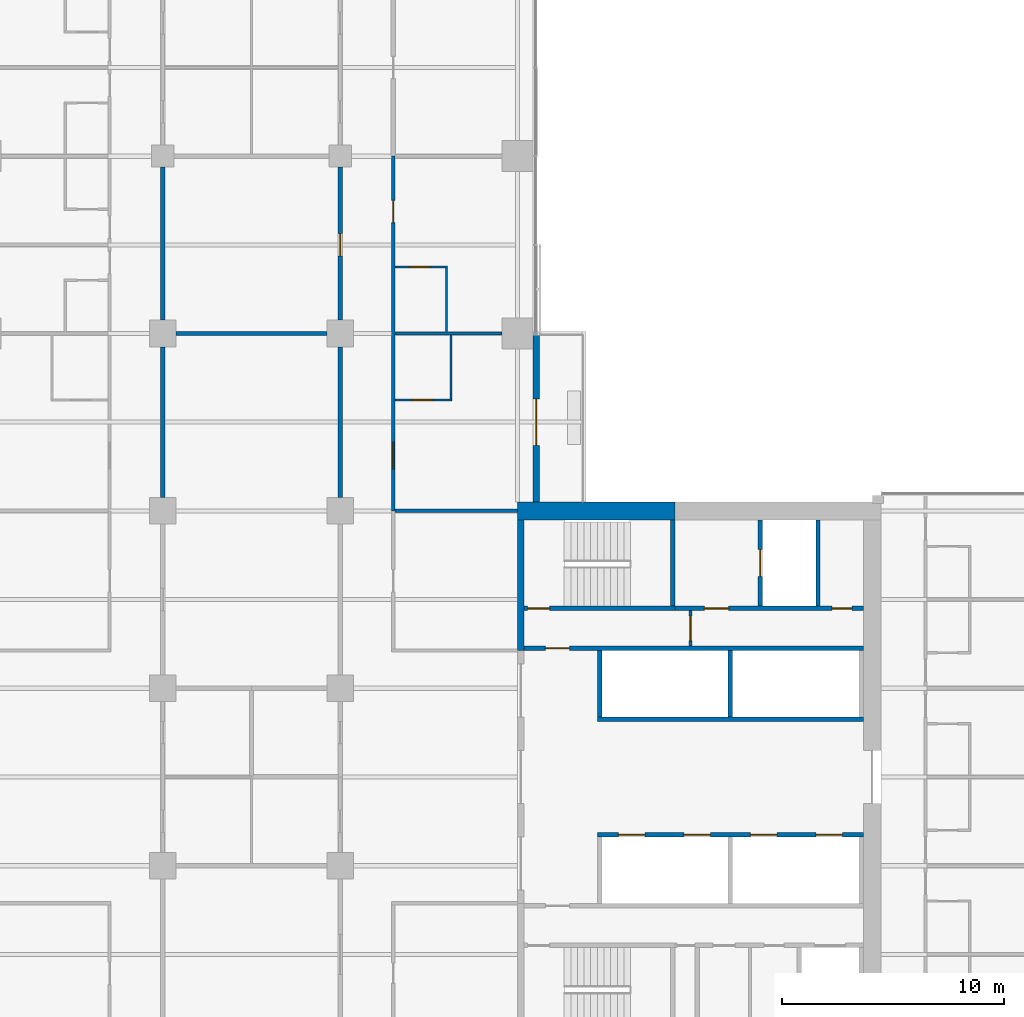
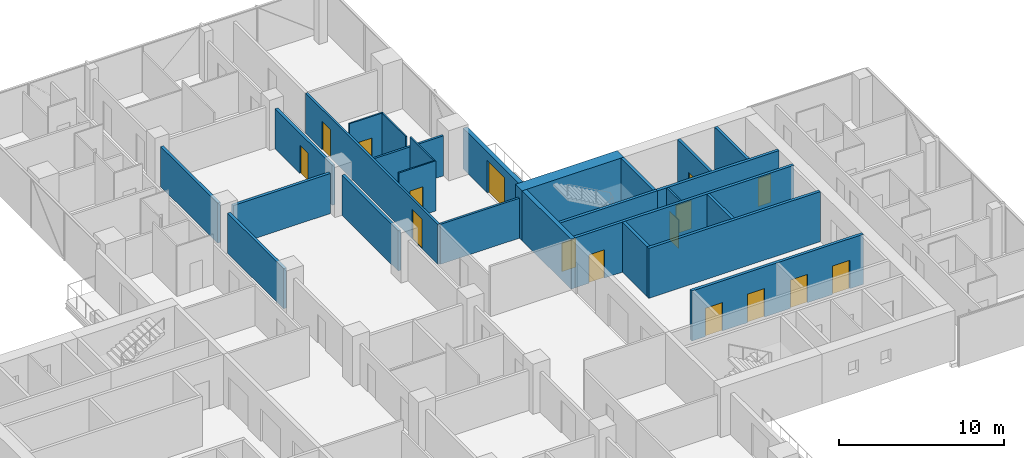
# One storey, part 20 of 27: 26 walls, 16 doors, 16 openings.
"""IFC4 building model written with IfcOpenShell, lengths in metres."""

from ifc_helpers import new_model, si_unit, direction, frame, frame_2d, origin, place, context, subcontext, project, spatial, rectangle, extrude, material, layer, layer_set, constituent, constituent_set, type_object, element, fill, save


model = new_model("IFC4")

# Units and contexts
model_context = context("Model", 3, precision=1e-05, world=origin(), true_north=direction((0.0, 1.0)))
body_context = subcontext(model_context, "Body", "Model", "MODEL_VIEW")
ifc_project = project(units=[si_unit("LENGTHUNIT", "METRE"), si_unit("AREAUNIT", "SQUARE_METRE"), si_unit("VOLUMEUNIT", "CUBIC_METRE"), si_unit("PLANEANGLEUNIT", "RADIAN"), si_unit("MASSUNIT", "GRAM", prefix="KILO")], contexts=[model_context])

# Site, building, storey
site_placement = place(None, origin())
site = spatial("IfcSite", under=ifc_project, at=site_placement, CompositionType="ELEMENT")
building_placement = place(site_placement, origin())
building = spatial("IfcBuilding", under=site, at=building_placement, Name="Crosswind Convention Tower", CompositionType="ELEMENT")
storey_placement = place(building_placement, frame((0.0, 0.0, 94.199951171875)))
storey = spatial("IfcBuildingStorey", under=building, at=storey_placement, Name="L18", CompositionType="ELEMENT", Elevation=94.199951171875)

# Walls
ifc_material_1 = material(Name="Concrete C50/60", Category="concrete")
ifc_layer_1 = layer(ifc_material_1, 0.300048828125)
ifc_layer_set_1 = layer_set([ifc_layer_1], Name="Concrete C50/60")
wall_type_1 = type_object("IfcWallType", Name="Concrete inner core wall 300", PredefinedType="SHEAR", material=ifc_layer_set_1)
wall_1_placement = place(storey_placement, frame((137.14990234375, 105.699951171875, 0.0), z_axis=(0.0, 0.0, 1.0), x_axis=(0.0, 1.0, 0.0)))
element("IfcWall", 1, at=wall_1_placement, inside=storey, type_object=wall_type_1, Name="Wall EP E L18", PredefinedType="SHEAR", context=body_context, shape_type="SweptSolid", body=[
    extrude(rectangle(XDim=5.900146484375, YDim=0.300048828125, at=frame_2d((2.9501953125, 0.0))), origin(), (0.0, 0.0, 1.0), 3.699951171875),
])
ifc_layer_2 = layer(ifc_material_1, 0.199951171875)
ifc_layer_set_2 = layer_set([ifc_layer_2], Name="Concrete C50/60")
wall_type_2 = type_object("IfcWallType", Name="Concrete shaft and stair wall 200", PredefinedType="SHEAR", material=ifc_layer_set_2)
for number, where, z_axis, x_axis, name in (
    (2, (140.699951171875, 102.699951171875, 0.0), (0.0, 0.0, 1.0), (0.0, 1.0, 0.0), "Wall RPEND E L18"),
    (3, (146.60009765625, 102.699951171875, 0.0), (0.0, 0.0, 1.0), (0.0, 1.0, 0.0), "Wall RPSEP E L18"),
):
    element("IfcWall", number, at=place(storey_placement, frame(where, z_axis=z_axis, x_axis=x_axis)), inside=storey, type_object=wall_type_2, Name=name, PredefinedType="SHEAR", context=body_context, shape_type="SweptSolid", body=[
        extrude(rectangle(XDim=3.0, YDim=0.199951171875, at=frame_2d((1.5, 0.0))), origin(), (0.0, 0.0, 1.0), 3.699951171875),
    ])
wall_2_placement = place(storey_placement, frame((140.60009765625, 102.60009765625, 0.0), z_axis=(0.0, 0.0, 1.0), x_axis=(1.0, 0.0, 0.0)))
element("IfcWall", 4, at=wall_2_placement, inside=storey, type_object=wall_type_2, Name="Wall RPFRONT E L18", PredefinedType="SHEAR", context=body_context, shape_type="SweptSolid", body=[
    extrude(rectangle(XDim=12.0, YDim=0.199951171875, at=frame_2d((6.0, 0.0))), origin(), (0.0, 0.0, 1.0), 3.699951171875),
])

# Wall, openings, doors
wall_3_placement = place(storey_placement, frame((140.60009765625, 97.39990234375, 0.0), z_axis=(0.0, 0.0, 1.0), x_axis=(1.0, 0.0, 0.0)))
wall_3 = element("IfcWall", 5, at=wall_3_placement, inside=storey, type_object=wall_type_2, Name="Wall RMFRONT E L18", PredefinedType="SHEAR", context=body_context, shape_type="SweptSolid", body=[
    extrude(rectangle(XDim=12.0, YDim=0.199951171875, at=frame_2d((6.0, 0.0))), origin(), (0.0, 0.0, 1.0), 3.699951171875),
])
opening_1_placement = place(wall_3_placement, frame((0.949951171875, 0.0, 0.0)))
opening_1 = element("IfcOpeningElement", 6, at=opening_1_placement, cuts=wall_3, Name="Opening LD1", PredefinedType="OPENING", context=body_context, shape_type="SweptSolid", body=[
    extrude(rectangle(XDim=1.199951171875, YDim=2.10009765625, at=frame_2d((0.60009765625, 1.050048828125))), frame((0.0, 0.10986328125, 0.0), z_axis=(0.0, -1.0, 0.0), x_axis=(1.0, 0.0, 0.0)), (0.0, 0.0, 1.0), 0.219970703125),
])
opening_2_placement = place(wall_3_placement, frame((3.89990234375, 0.0, 0.0)))
opening_2 = element("IfcOpeningElement", 7, at=opening_2_placement, cuts=wall_3, Name="Opening LD1", PredefinedType="OPENING", context=body_context, shape_type="SweptSolid", body=[
    extrude(rectangle(XDim=1.199951171875, YDim=2.10009765625, at=frame_2d((0.60009765625, 1.050048828125))), frame((0.0, 0.10986328125, 0.0), z_axis=(0.0, -1.0, 0.0), x_axis=(1.0, 0.0, 0.0)), (0.0, 0.0, 1.0), 0.219970703125),
])
opening_3_placement = place(wall_3_placement, frame((6.89990234375, 0.0, 0.0)))
opening_3 = element("IfcOpeningElement", 8, at=opening_3_placement, cuts=wall_3, Name="Opening LD1", PredefinedType="OPENING", context=body_context, shape_type="SweptSolid", body=[
    extrude(rectangle(XDim=1.199951171875, YDim=2.10009765625, at=frame_2d((0.60009765625, 1.050048828125))), frame((0.0, 0.10986328125, 0.0), z_axis=(0.0, -1.0, 0.0), x_axis=(1.0, 0.0, 0.0)), (0.0, 0.0, 1.0), 0.219970703125),
])
opening_4_placement = place(wall_3_placement, frame((9.85009765625, 0.0, 0.0)))
opening_4 = element("IfcOpeningElement", 9, at=opening_4_placement, cuts=wall_3, Name="Opening LD1", PredefinedType="OPENING", context=body_context, shape_type="SweptSolid", body=[
    extrude(rectangle(XDim=1.199951171875, YDim=2.10009765625, at=frame_2d((0.60009765625, 1.050048828125))), frame((0.0, 0.10986328125, 0.0), z_axis=(0.0, -1.0, 0.0), x_axis=(1.0, 0.0, 0.0)), (0.0, 0.0, 1.0), 0.219970703125),
])
ifc_material_2 = material(Name="Stainless steel", Category="steel")
door_type_1 = type_object("IfcDoorType", Name="Lift landing door 1200x2100", OperationType="DOUBLE_DOOR_SLIDING", PredefinedType="DOOR", material=ifc_material_2)
door_1_placement = place(opening_1_placement, origin())
door_1 = element("IfcDoor", 10, at=door_1_placement, inside=storey, type_object=door_type_1, Name="Landing door H1 L18", ObjectType="LD1", OperationType="DOUBLE_DOOR_SLIDING", OverallHeight=2.10009765625, OverallWidth=1.199951171875, PredefinedType="DOOR", context=body_context, shape_type="SweptSolid", body=[
    extrude(rectangle(XDim=1.199951171875, YDim=2.10009765625, at=frame_2d((0.60009765625, 1.050048828125))), frame((0.0, 0.02490234375, 0.0), z_axis=(0.0, -1.0, 0.0), x_axis=(1.0, 0.0, 0.0)), (0.0, 0.0, 1.0), 0.050048828125),
])
fill(opening_1, door_1)
door_2_placement = place(opening_2_placement, origin())
door_2 = element("IfcDoor", 11, at=door_2_placement, inside=storey, type_object=door_type_1, Name="Landing door H2 L18", ObjectType="LD1", OperationType="DOUBLE_DOOR_SLIDING", OverallHeight=2.10009765625, OverallWidth=1.199951171875, PredefinedType="DOOR", context=body_context, shape_type="SweptSolid", body=[
    extrude(rectangle(XDim=1.199951171875, YDim=2.10009765625, at=frame_2d((0.60009765625, 1.050048828125))), frame((0.0, 0.02490234375, 0.0), z_axis=(0.0, -1.0, 0.0), x_axis=(1.0, 0.0, 0.0)), (0.0, 0.0, 1.0), 0.050048828125),
])
fill(opening_2, door_2)
door_3_placement = place(opening_3_placement, origin())
door_3 = element("IfcDoor", 12, at=door_3_placement, inside=storey, type_object=door_type_1, Name="Landing door H3 L18", ObjectType="LD1", OperationType="DOUBLE_DOOR_SLIDING", OverallHeight=2.10009765625, OverallWidth=1.199951171875, PredefinedType="DOOR", context=body_context, shape_type="SweptSolid", body=[
    extrude(rectangle(XDim=1.199951171875, YDim=2.10009765625, at=frame_2d((0.60009765625, 1.050048828125))), frame((0.0, 0.02490234375, 0.0), z_axis=(0.0, -1.0, 0.0), x_axis=(1.0, 0.0, 0.0)), (0.0, 0.0, 1.0), 0.050048828125),
])
fill(opening_3, door_3)
door_4_placement = place(opening_4_placement, origin())
door_4 = element("IfcDoor", 13, at=door_4_placement, inside=storey, type_object=door_type_1, Name="Landing door H4 L18", ObjectType="LD1", OperationType="DOUBLE_DOOR_SLIDING", OverallHeight=2.10009765625, OverallWidth=1.199951171875, PredefinedType="DOOR", context=body_context, shape_type="SweptSolid", body=[
    extrude(rectangle(XDim=1.199951171875, YDim=2.10009765625, at=frame_2d((0.60009765625, 1.050048828125))), frame((0.0, 0.02490234375, 0.0), z_axis=(0.0, -1.0, 0.0), x_axis=(1.0, 0.0, 0.0)), (0.0, 0.0, 1.0), 0.050048828125),
])
fill(opening_4, door_4)

# Wall, opening, door
wall_4_placement = place(storey_placement, frame((137.300048828125, 105.800048828125, 0.0), z_axis=(0.0, 0.0, 1.0), x_axis=(1.0, 0.0, 0.0)))
wall_4 = element("IfcWall", 14, at=wall_4_placement, inside=storey, type_object=wall_type_2, Name="Wall HP E L18", PredefinedType="SHEAR", context=body_context, shape_type="SweptSolid", body=[
    extrude(rectangle(XDim=15.300048828125, YDim=0.199951171875, at=frame_2d((7.64990234375, 0.0))), origin(), (0.0, 0.0, 1.0), 3.699951171875),
])
opening_5_placement = place(wall_4_placement, frame((0.949951171875, 0.0, 0.0)))
opening_5 = element("IfcOpeningElement", 15, at=opening_5_placement, cuts=wall_4, Name="Opening D104", PredefinedType="OPENING", context=body_context, shape_type="SweptSolid", body=[
    extrude(rectangle(XDim=1.10009765625, YDim=2.10009765625, at=frame_2d((0.550048828125, 1.050048828125))), frame((0.0, 0.10986328125, 0.0), z_axis=(0.0, -1.0, 0.0), x_axis=(1.0, 0.0, 0.0)), (0.0, 0.0, 1.0), 0.219970703125),
])
ifc_material_3 = material(Name="Steel fire door", Category="steel")
door_type_2 = type_object("IfcDoorType", Name="Fire-rated single door 1100x2100", OperationType="NOTDEFINED", PredefinedType="DOOR", material=ifc_material_3)
door_5_placement = place(opening_5_placement, origin())
door_5 = element("IfcDoor", 16, at=door_5_placement, inside=storey, type_object=door_type_2, Name="Corridor door L18", ObjectType="D104", OperationType="SINGLE_SWING_LEFT", OverallHeight=2.10009765625, OverallWidth=1.10009765625, PredefinedType="DOOR", context=body_context, shape_type="SweptSolid", body=[
    extrude(rectangle(XDim=1.10009765625, YDim=2.10009765625, at=frame_2d((0.550048828125, 1.050048828125))), frame((0.0, 0.02490234375, 0.0), z_axis=(0.0, -1.0, 0.0), x_axis=(1.0, 0.0, 0.0)), (0.0, 0.0, 1.0), 0.050048828125),
])
fill(opening_5, door_5)

# Wall
wall_5_placement = place(storey_placement, frame((144.0, 107.699951171875, 0.0), z_axis=(0.0, 0.0, 1.0), x_axis=(0.0, 1.0, 0.0)))
element("IfcWall", 17, at=wall_5_placement, inside=storey, type_object=wall_type_2, Name="Wall PSE E L18", PredefinedType="SHEAR", context=body_context, shape_type="SweptSolid", body=[
    extrude(rectangle(XDim=3.900146484375, YDim=0.199951171875, at=frame_2d((1.9501953125, 0.0))), origin(), (0.0, 0.0, 1.0), 3.699951171875),
])

# Wall, opening, door
wall_6_placement = place(storey_placement, frame((147.949951171875, 107.699951171875, 0.0), z_axis=(0.0, 0.0, 1.0), x_axis=(0.0, 1.0, 0.0)))
wall_6 = element("IfcWall", 18, at=wall_6_placement, inside=storey, type_object=wall_type_2, Name="Wall PFLW E L18", PredefinedType="SHEAR", context=body_context, shape_type="SweptSolid", body=[
    extrude(rectangle(XDim=3.900146484375, YDim=0.199951171875, at=frame_2d((1.9501953125, 0.0))), origin(), (0.0, 0.0, 1.0), 3.699951171875),
])
opening_6_placement = place(wall_6_placement, frame((1.35009765625, 0.0, 0.0)))
opening_6 = element("IfcOpeningElement", 19, at=opening_6_placement, cuts=wall_6, Name="Opening LD1", PredefinedType="OPENING", context=body_context, shape_type="SweptSolid", body=[
    extrude(rectangle(XDim=1.199951171875, YDim=2.10009765625, at=frame_2d((0.60009765625, 1.050048828125))), frame((0.0, 0.10986328125, 0.0), z_axis=(0.0, -1.0, 0.0), x_axis=(1.0, 0.0, 0.0)), (0.0, 0.0, 1.0), 0.219970703125),
])
door_6_placement = place(opening_6_placement, origin())
door_6 = element("IfcDoor", 20, at=door_6_placement, inside=storey, type_object=door_type_1, Name="Landing door FF1 L18", ObjectType="LD1", OperationType="DOUBLE_DOOR_SLIDING", OverallHeight=2.10009765625, OverallWidth=1.199951171875, PredefinedType="DOOR", context=body_context, shape_type="SweptSolid", body=[
    extrude(rectangle(XDim=1.199951171875, YDim=2.10009765625, at=frame_2d((0.60009765625, 1.050048828125))), frame((0.0, 0.02490234375, 0.0), z_axis=(0.0, -1.0, 0.0), x_axis=(1.0, 0.0, 0.0)), (0.0, 0.0, 1.0), 0.050048828125),
])
fill(opening_6, door_6)

# Wall
wall_7_placement = place(storey_placement, frame((150.550048828125, 107.699951171875, 0.0), z_axis=(0.0, 0.0, 1.0), x_axis=(0.0, 1.0, 0.0)))
element("IfcWall", 21, at=wall_7_placement, inside=storey, type_object=wall_type_2, Name="Wall PFSE E L18", PredefinedType="SHEAR", context=body_context, shape_type="SweptSolid", body=[
    extrude(rectangle(XDim=3.900146484375, YDim=0.199951171875, at=frame_2d((1.9501953125, 0.0))), origin(), (0.0, 0.0, 1.0), 3.699951171875),
])

# Wall, opening, door
wall_8_placement = place(storey_placement, frame((137.300048828125, 107.60009765625, 0.0), z_axis=(0.0, 0.0, 1.0), x_axis=(1.0, 0.0, 0.0)))
wall_8 = element("IfcWall", 22, at=wall_8_placement, inside=storey, type_object=wall_type_2, Name="Wall PCW E L18", PredefinedType="SHEAR", context=body_context, shape_type="SweptSolid", body=[
    extrude(rectangle(XDim=6.800048828125, YDim=0.199951171875, at=frame_2d((3.39990234375, 0.0))), origin(), (0.0, 0.0, 1.0), 3.699951171875),
])
opening_7_placement = place(wall_8_placement, frame((0.14990234375, 0.0, 0.0)))
opening_7 = element("IfcOpeningElement", 23, at=opening_7_placement, cuts=wall_8, Name="Opening D103", PredefinedType="OPENING", context=body_context, shape_type="SweptSolid", body=[
    extrude(rectangle(XDim=1.0, YDim=2.10009765625, at=frame_2d((0.5, 1.050048828125))), frame((0.0, 0.10986328125, 0.0), z_axis=(0.0, -1.0, 0.0), x_axis=(1.0, 0.0, 0.0)), (0.0, 0.0, 1.0), 0.219970703125),
])
door_type_3 = type_object("IfcDoorType", Name="Fire-rated single door 1000x2100", OperationType="NOTDEFINED", PredefinedType="DOOR", material=ifc_material_3)
door_7_placement = place(opening_7_placement, origin())
door_7 = element("IfcDoor", 24, at=door_7_placement, inside=storey, type_object=door_type_3, Name="Stair ST1 door L18", ObjectType="D103", OperationType="SINGLE_SWING_LEFT", OverallHeight=2.10009765625, OverallWidth=1.0, PredefinedType="DOOR", context=body_context, shape_type="SweptSolid", body=[
    extrude(rectangle(XDim=1.0, YDim=2.10009765625, at=frame_2d((0.5, 1.050048828125))), frame((0.0, 0.02490234375, 0.0), z_axis=(0.0, -1.0, 0.0), x_axis=(1.0, 0.0, 0.0)), (0.0, 0.0, 1.0), 0.050048828125),
])
fill(opening_7, door_7)

# Wall, openings, doors
wall_9_placement = place(storey_placement, frame((144.10009765625, 107.60009765625, 0.0), z_axis=(0.0, 0.0, 1.0), x_axis=(1.0, 0.0, 0.0)))
wall_9 = element("IfcWall", 25, at=wall_9_placement, inside=storey, type_object=wall_type_2, Name="Wall PCX E L18", PredefinedType="SHEAR", context=body_context, shape_type="SweptSolid", body=[
    extrude(rectangle(XDim=8.5, YDim=0.199951171875, at=frame_2d((4.25, 0.0))), origin(), (0.0, 0.0, 1.0), 3.699951171875),
])
opening_8_placement = place(wall_9_placement, frame((1.324951171875, 0.0, 0.0)))
opening_8 = element("IfcOpeningElement", 26, at=opening_8_placement, cuts=wall_9, Name="Opening D104", PredefinedType="OPENING", context=body_context, shape_type="SweptSolid", body=[
    extrude(rectangle(XDim=1.10009765625, YDim=2.10009765625, at=frame_2d((0.550048828125, 1.050048828125))), frame((0.0, 0.10986328125, 0.0), z_axis=(0.0, -1.0, 0.0), x_axis=(1.0, 0.0, 0.0)), (0.0, 0.0, 1.0), 0.219970703125),
])
opening_9_placement = place(wall_9_placement, frame((7.074951171875, 0.0, 0.0)))
opening_9 = element("IfcOpeningElement", 27, at=opening_9_placement, cuts=wall_9, Name="Opening D106", PredefinedType="OPENING", context=body_context, shape_type="SweptSolid", body=[
    extrude(rectangle(XDim=0.89990234375, YDim=2.10009765625, at=frame_2d((0.449951171875, 1.050048828125))), frame((0.0, 0.10986328125, 0.0), z_axis=(0.0, -1.0, 0.0), x_axis=(1.0, 0.0, 0.0)), (0.0, 0.0, 1.0), 0.219970703125),
])
door_8_placement = place(opening_8_placement, origin())
door_8 = element("IfcDoor", 28, at=door_8_placement, inside=storey, type_object=door_type_2, Name="Fire-fighting lobby FF1 door L18", ObjectType="D104", OperationType="SINGLE_SWING_RIGHT", OverallHeight=2.10009765625, OverallWidth=1.10009765625, PredefinedType="DOOR", context=body_context, shape_type="SweptSolid", body=[
    extrude(rectangle(XDim=1.10009765625, YDim=2.10009765625, at=frame_2d((0.550048828125, 1.050048828125))), frame((0.0, 0.02490234375, 0.0), z_axis=(0.0, -1.0, 0.0), x_axis=(1.0, 0.0, 0.0)), (0.0, 0.0, 1.0), 0.050048828125),
])
fill(opening_8, door_8)
ifc_material_4 = material(Name="Timber door", Category="wood")
door_type_4 = type_object("IfcDoorType", Name="Single leaf door 900x2100", OperationType="NOTDEFINED", PredefinedType="DOOR", material=ifc_material_4)
door_9_placement = place(opening_9_placement, origin())
door_9 = element("IfcDoor", 29, at=door_9_placement, inside=storey, type_object=door_type_4, Name="Door to electrical room L18", ObjectType="D106", OperationType="SINGLE_SWING_RIGHT", OverallHeight=2.10009765625, OverallWidth=0.89990234375, PredefinedType="DOOR", context=body_context, shape_type="SweptSolid", body=[
    extrude(rectangle(XDim=0.89990234375, YDim=2.10009765625, at=frame_2d((0.449951171875, 1.050048828125))), frame((0.0, 0.02490234375, 0.0), z_axis=(0.0, -1.0, 0.0), x_axis=(1.0, 0.0, 0.0)), (0.0, 0.0, 1.0), 0.050048828125),
])
fill(opening_9, door_9)

# Wall, opening, door
ifc_material_5 = material(Name="Gypsum plasterboard partition", Category="gypsum")
ifc_layer_3 = layer(ifc_material_5, 0.125)
ifc_layer_set_3 = layer_set([ifc_layer_3], Name="Drywall partition wall 125")
wall_type_3 = type_object("IfcWallType", Name="Drywall partition wall 125", PredefinedType="PARTITIONING", material=ifc_layer_set_3)
wall_10_placement = place(storey_placement, frame((144.800048828125, 105.89990234375, 0.0), z_axis=(0.0, 0.0, 1.0), x_axis=(0.0, 1.0, 0.0)))
wall_10 = element("IfcWall", 30, at=wall_10_placement, inside=storey, type_object=wall_type_3, Name="Wall PXC1 E L18", PredefinedType="PARTITIONING", context=body_context, shape_type="SweptSolid", body=[
    extrude(rectangle(XDim=1.60009765625, YDim=0.125, at=frame_2d((0.800048828125, 0.0))), origin(), (0.0, 0.0, 1.0), 3.699951171875),
])
opening_10_placement = place(wall_10_placement, frame((0.25, 0.0, 0.0)))
opening_10 = element("IfcOpeningElement", 31, at=opening_10_placement, cuts=wall_10, Name="Opening D104", PredefinedType="OPENING", context=body_context, shape_type="SweptSolid", body=[
    extrude(rectangle(XDim=1.10009765625, YDim=2.10009765625, at=frame_2d((0.550048828125, 1.050048828125))), frame((0.0, 0.072509765625, 0.0), z_axis=(0.0, -1.0, 0.0), x_axis=(1.0, 0.0, 0.0)), (0.0, 0.0, 1.0), 0.14501953125),
])
door_10_placement = place(opening_10_placement, origin())
door_10 = element("IfcDoor", 32, at=door_10_placement, inside=storey, type_object=door_type_2, Name="Corridor smoke door L18", ObjectType="D104", OperationType="SINGLE_SWING_RIGHT", OverallHeight=2.10009765625, OverallWidth=1.10009765625, PredefinedType="DOOR", context=body_context, shape_type="SweptSolid", body=[
    extrude(rectangle(XDim=1.10009765625, YDim=2.10009765625, at=frame_2d((0.550048828125, 1.050048828125))), frame((0.0, 0.02490234375, 0.0), z_axis=(0.0, -1.0, 0.0), x_axis=(1.0, 0.0, 0.0)), (0.0, 0.0, 1.0), 0.050048828125),
])
fill(opening_10, door_10)

# Walls
ifc_material_6 = material(Name="Acoustic plasterboard partition", Category="gypsum")
ifc_layer_4 = layer(ifc_material_6, 0.14990234375)
ifc_layer_set_4 = layer_set([ifc_layer_4], Name="GUEST ROOM WALL 150")
wall_type_4 = type_object("IfcWallType", Name="GUEST ROOM WALL 150", PredefinedType="PARTITIONING", material=ifc_layer_set_4)
wall_11_placement = place(storey_placement, frame((131.47509765625, 112.0, 0.0), z_axis=(0.0, 0.0, 1.0), x_axis=(1.0, 0.0, 0.0)))
element("IfcWall", 33, at=wall_11_placement, inside=storey, type_object=wall_type_4, Name="Guest Room Wall 49", PredefinedType="PARTITIONING", context=body_context, shape_type="SweptSolid", body=[
    extrude(rectangle(XDim=5.52490234375, YDim=0.14990234375, at=frame_2d((2.762451171875, 0.0))), origin(), (0.0, 0.0, 1.0), 2.95654296875),
])
wall_12_placement = place(storey_placement, frame((131.47509765625, 120.0, 0.0), z_axis=(0.0, 0.0, 1.0), x_axis=(1.0, 0.0, 0.0)))
element("IfcWall", 34, at=wall_12_placement, inside=storey, type_object=wall_type_4, Name="Guest Room Wall 54", PredefinedType="PARTITIONING", context=body_context, shape_type="SweptSolid", body=[
    extrude(rectangle(XDim=4.824951171875, YDim=0.14990234375, at=frame_2d((2.41259765625, 0.0))), origin(), (0.0, 0.0, 1.0), 2.9599609375),
])

# Wall, openings, doors
wall_13_placement = place(storey_placement, frame((131.39990234375, 112.0, 0.0), z_axis=(0.0, 0.0, 1.0), x_axis=(0.0, 1.0, 0.0)))
wall_13 = element("IfcWall", 35, at=wall_13_placement, inside=storey, type_object=wall_type_4, Name="Guest Room Wall 117", PredefinedType="PARTITIONING", context=body_context, shape_type="SweptSolid", body=[
    extrude(rectangle(XDim=16.0, YDim=0.14990234375, at=frame_2d((8.0, 0.0))), origin(), (0.0, 0.0, 1.0), 2.95654296875),
])
opening_11_placement = place(wall_13_placement, frame((1.89990234375, 0.0, 0.0)))
opening_11 = element("IfcOpeningElement", 36, at=opening_11_placement, cuts=wall_13, Name="Opening 18.005", PredefinedType="OPENING", context=body_context, shape_type="SweptSolid", body=[
    extrude(rectangle(XDim=1.199951171875, YDim=2.199951171875, at=frame_2d((0.60009765625, 1.10009765625))), frame((0.0, 0.0849609375, 0.0), z_axis=(0.0, -1.0, 0.0), x_axis=(1.0, 0.0, 0.0)), (0.0, 0.0, 1.0), 0.169921875),
])
opening_12_placement = place(wall_13_placement, frame((13.0, 0.0, 0.0)))
opening_12 = element("IfcOpeningElement", 37, at=opening_12_placement, cuts=wall_13, Name="Opening 18.007", PredefinedType="OPENING", context=body_context, shape_type="SweptSolid", body=[
    extrude(rectangle(XDim=1.0, YDim=2.10009765625, at=frame_2d((0.5, 1.050048828125))), frame((0.0, 0.0849609375, 0.0), z_axis=(0.0, -1.0, 0.0), x_axis=(1.0, 0.0, 0.0)), (0.0, 0.0, 1.0), 0.169921875),
])
ifc_material_7 = material(Name="Timber fire door", Category="wood")
door_type_5 = type_object("IfcDoorType", Name="GUEST ROOM DOOR 1000X2100", OperationType="NOTDEFINED", PredefinedType="DOOR", material=ifc_material_7)
door_11_placement = place(opening_12_placement, frame((1.0, 0.0, 0.0), z_axis=(0.0, 0.0, 1.0), x_axis=(-1.0, 0.0, 0.0)))
door_11 = element("IfcDoor", 38, at=door_11_placement, inside=storey, type_object=door_type_5, Name="Door 18.007", ObjectType="D1", OperationType="SINGLE_SWING_LEFT", OverallHeight=2.10009765625, OverallWidth=1.0, PredefinedType="DOOR", context=body_context, shape_type="SweptSolid", body=[
    extrude(rectangle(XDim=1.0, YDim=2.10009765625, at=frame_2d((0.5, 1.050048828125))), frame((0.0, 0.02490234375, 0.0), z_axis=(0.0, -1.0, 0.0), x_axis=(1.0, 0.0, 0.0)), (0.0, 0.0, 1.0), 0.050048828125),
])
fill(opening_12, door_11)
door_type_6 = type_object("IfcDoorType", Name="SUITE DOOR 1200X2200", OperationType="DOUBLE_DOOR_SINGLE_SWING", PredefinedType="DOOR", material=ifc_material_7)
door_12_placement = place(opening_11_placement, frame((1.199951171875, 0.0, 0.0), z_axis=(0.0, 0.0, 1.0), x_axis=(-1.0, 0.0, 0.0)))
door_12 = element("IfcDoor", 39, at=door_12_placement, inside=storey, type_object=door_type_6, Name="Door 18.005", ObjectType="D14", OperationType="DOUBLE_DOOR_SINGLE_SWING", OverallHeight=2.199951171875, OverallWidth=1.199951171875, PredefinedType="DOOR", context=body_context, shape_type="SweptSolid", body=[
    extrude(rectangle(XDim=1.199951171875, YDim=2.199951171875, at=frame_2d((0.60009765625, 1.10009765625))), frame((0.0, 0.02490234375, 0.0), z_axis=(0.0, -1.0, 0.0), x_axis=(1.0, 0.0, 0.0)), (0.0, 0.0, 1.0), 0.050048828125),
])
fill(opening_11, door_12)

# Walls
ifc_material_8 = material(Name="Double plasterboard partition", Category="gypsum")
ifc_layer_5 = layer(ifc_material_8, 0.199951171875)
ifc_layer_set_5 = layer_set([ifc_layer_5], Name="HALL WALL 200")
wall_type_5 = type_object("IfcWallType", Name="HALL WALL 200", PredefinedType="PARTITIONING", material=ifc_layer_set_5)
for number, where, z_axis, x_axis, name in (
    (40, (121.60009765625, 120.0, 0.0), (0.0, 0.0, 1.0), (1.0, 0.0, 0.0), "Hall Wall 53"),
    (41, (121.0, 112.60009765625, 0.0), (0.0, 0.0, 1.0), (0.0, 1.0, 0.0), "Hall Wall 90"),
):
    element("IfcWall", number, at=place(storey_placement, frame(where, z_axis=z_axis, x_axis=x_axis)), inside=storey, type_object=wall_type_5, Name=name, PredefinedType="PARTITIONING", context=body_context, shape_type="SweptSolid", body=[
        extrude(rectangle(XDim=6.7998046875, YDim=0.199951171875, at=frame_2d((3.39990234375, 0.0))), origin(), (0.0, 0.0, 1.0), 2.9599609375),
    ])
wall_14_placement = place(storey_placement, frame((121.0, 120.60009765625, 0.0), z_axis=(0.0, 0.0, 1.0), x_axis=(0.0, 1.0, 0.0)))
element("IfcWall", 42, at=wall_14_placement, inside=storey, type_object=wall_type_5, Name="Hall Wall 91", PredefinedType="PARTITIONING", context=body_context, shape_type="SweptSolid", body=[
    extrude(rectangle(XDim=6.89990234375, YDim=0.199951171875, at=frame_2d((3.449951171875, 0.0))), origin(), (0.0, 0.0, 1.0), 2.9599609375),
])
wall_15_placement = place(storey_placement, frame((129.0, 112.60009765625, 0.0), z_axis=(0.0, 0.0, 1.0), x_axis=(0.0, 1.0, 0.0)))
element("IfcWall", 43, at=wall_15_placement, inside=storey, type_object=wall_type_5, Name="Hall Wall 110", PredefinedType="PARTITIONING", context=body_context, shape_type="SweptSolid", body=[
    extrude(rectangle(XDim=6.7998046875, YDim=0.199951171875, at=frame_2d((3.39990234375, 0.0))), origin(), (0.0, 0.0, 1.0), 2.9599609375),
])

# Wall, opening, door
wall_16_placement = place(storey_placement, frame((129.0, 120.60009765625, 0.0), z_axis=(0.0, 0.0, 1.0), x_axis=(0.0, 1.0, 0.0)))
wall_16 = element("IfcWall", 44, at=wall_16_placement, inside=storey, type_object=wall_type_5, Name="Hall Wall 111", PredefinedType="PARTITIONING", context=body_context, shape_type="SweptSolid", body=[
    extrude(rectangle(XDim=6.89990234375, YDim=0.199951171875, at=frame_2d((3.449951171875, 0.0))), origin(), (0.0, 0.0, 1.0), 2.9599609375),
])
opening_13_placement = place(wall_16_placement, frame((2.89990234375, 0.0, 0.0)))
opening_13 = element("IfcOpeningElement", 45, at=opening_13_placement, cuts=wall_16, Name="Opening 18.063", PredefinedType="OPENING", context=body_context, shape_type="SweptSolid", body=[
    extrude(rectangle(XDim=1.0, YDim=2.10009765625, at=frame_2d((0.5, 1.050048828125))), frame((0.0, 0.10986328125, 0.0), z_axis=(0.0, -1.0, 0.0), x_axis=(1.0, 0.0, 0.0)), (0.0, 0.0, 1.0), 0.219970703125),
])
door_type_7 = type_object("IfcDoorType", Name="MEETING ROOM DOOR 1000X2100", OperationType="NOTDEFINED", PredefinedType="DOOR", material=ifc_material_7)
door_13_placement = place(opening_13_placement, frame((1.0, 0.0, 0.0), z_axis=(0.0, 0.0, 1.0), x_axis=(-1.0, 0.0, 0.0)))
door_13 = element("IfcDoor", 46, at=door_13_placement, inside=storey, type_object=door_type_7, Name="Door 18.063", ObjectType="D13", OperationType="SINGLE_SWING_RIGHT", OverallHeight=2.10009765625, OverallWidth=1.0, PredefinedType="DOOR", context=body_context, shape_type="SweptSolid", body=[
    extrude(rectangle(XDim=1.0, YDim=2.10009765625, at=frame_2d((0.5, 1.050048828125))), frame((0.0, 0.02490234375, 0.0), z_axis=(0.0, -1.0, 0.0), x_axis=(1.0, 0.0, 0.0)), (0.0, 0.0, 1.0), 0.050048828125),
])
fill(opening_13, door_13)

ifc_material_9 = material(Name="Terracotta rainscreen", Category="ceramic")
ifc_layer_6 = layer(ifc_material_9, 0.02001953125)
ifc_material_10 = material(Name="Mineral wool insulation", Category="insulation")
ifc_layer_7 = layer(ifc_material_10, 0.10009765625)
ifc_material_11 = material(Name="Concrete blockwork", Category="masonry")
ifc_layer_8 = layer(ifc_material_11, 0.179931640625)
ifc_layer_set_6 = layer_set([ifc_layer_6, ifc_layer_7, ifc_layer_8], Name="TERRACOTTA INFILL WALL 300")
wall_type_6 = type_object("IfcWallType", Name="TERRACOTTA INFILL WALL 300", PredefinedType="SOLIDWALL", material=ifc_layer_set_6)
wall_17_placement = place(storey_placement, frame((137.85009765625, 112.39990234375, 0.0), z_axis=(0.0, 0.0, 1.0), x_axis=(0.0, 1.0, 0.0)))
wall_17 = element("IfcWall", 47, at=wall_17_placement, inside=storey, type_object=wall_type_6, Name="Notch front wall L18 N-E.1-1", PredefinedType="SOLIDWALL", context=body_context, shape_type="SweptSolid", body=[
    extrude(rectangle(XDim=7.567626953125, YDim=0.300048828125, at=frame_2d((3.78369140625, 0.0))), origin(), (0.0, 0.0, 1.0), 3.013671875),
])
opening_14_placement = place(wall_17_placement, frame((2.550048828125, 0.0, 0.0)))
opening_14 = element("IfcOpeningElement", 48, at=opening_14_placement, cuts=wall_17, Name="Opening D141", PredefinedType="OPENING", context=body_context, shape_type="SweptSolid", body=[
    extrude(rectangle(XDim=2.10009765625, YDim=2.39990234375, at=frame_2d((1.050048828125, 1.199951171875))), frame((0.0, 0.159912109375, 0.0), z_axis=(0.0, -1.0, 0.0), x_axis=(1.0, 0.0, 0.0)), (0.0, 0.0, 1.0), 0.320068359375),
])
ifc_material_12 = material(Name="Aluminium glazed door", Category="aluminium")
door_type_8 = type_object("IfcDoorType", Name="BALCONY SLIDING DOOR 2100X2400", OperationType="SLIDING_TO_LEFT", PredefinedType="DOOR", material=ifc_material_12)
door_14_placement = place(opening_14_placement, frame((2.10009765625, 0.0, 0.0), z_axis=(0.0, 0.0, 1.0), x_axis=(-1.0, 0.0, 0.0)))
door_14 = element("IfcDoor", 49, at=door_14_placement, inside=storey, type_object=door_type_8, Name="D141 balcony door L18 N-E.1-1", ObjectType="D141", OperationType="SLIDING_TO_LEFT", OverallHeight=2.39990234375, OverallWidth=2.10009765625, PredefinedType="DOOR", context=body_context, shape_type="SweptSolid", body=[
    extrude(rectangle(XDim=2.10009765625, YDim=2.39990234375, at=frame_2d((1.050048828125, 1.199951171875))), frame((0.0, 0.02490234375, 0.0), z_axis=(0.0, -1.0, 0.0), x_axis=(1.0, 0.0, 0.0)), (0.0, 0.0, 1.0), 0.050048828125),
])
fill(opening_14, door_14)

# Wall
ifc_material_13 = material(Name="Concrete C60/75", Category="concrete")
ifc_constituent_1 = constituent(ifc_material_13, Name="Structure")
ifc_constituent_2 = constituent(ifc_material_9, Name="Facing")
ifc_constituent_set = constituent_set(constituents=[ifc_constituent_1, ifc_constituent_2], Name="Concrete C60/75, Terracotta rainscreen")
wall_type_7 = type_object("IfcWallType", Name="Terracotta rainscreen on concrete core wall 800", PredefinedType="SHEAR", material=ifc_constituent_set)
wall_18_placement = place(storey_placement, frame((137.0, 112.0, 0.0), z_axis=(0.0, 0.0, 1.0), x_axis=(1.0, 0.0, 0.0)))
element("IfcWall", 50, at=wall_18_placement, inside=storey, type_object=wall_type_7, Name="Wall N1 E L18", PredefinedType="SHEAR", context=body_context, shape_type="SweptSolid", body=[
    extrude(rectangle(XDim=7.10009765625, YDim=0.800048828125, at=frame_2d((3.550048828125, 0.0))), origin(), (0.0, 0.0, 1.0), 3.699951171875),
])

# Wall, opening, door
ifc_material_14 = material(Name="Water-resistant plasterboard partition", Category="gypsum")
ifc_layer_9 = layer(ifc_material_14, 0.10009765625)
ifc_layer_set_7 = layer_set([ifc_layer_9], Name="WET ROOM PARTITION 100")
wall_type_8 = type_object("IfcWallType", Name="WET ROOM PARTITION 100", PredefinedType="PLUMBINGWALL", material=ifc_layer_set_7)
wall_19_placement = place(storey_placement, frame((131.47509765625, 117.0, 0.0), z_axis=(0.0, 0.0, 1.0), x_axis=(1.0, 0.0, 0.0)))
wall_19 = element("IfcWall", 51, at=wall_19_placement, inside=storey, type_object=wall_type_8, Name="Wet Room Partition 51", PredefinedType="PLUMBINGWALL", context=body_context, shape_type="SweptSolid", body=[
    extrude(rectangle(XDim=2.574951171875, YDim=0.10009765625, at=frame_2d((1.28759765625, 0.0))), origin(), (0.0, 0.0, 1.0), 3.699951171875),
])
opening_15_placement = place(wall_19_placement, frame((0.77490234375, 0.0, 0.0)))
opening_15 = element("IfcOpeningElement", 52, at=opening_15_placement, cuts=wall_19, Name="Opening 18.006", PredefinedType="OPENING", context=body_context, shape_type="SweptSolid", body=[
    extrude(rectangle(XDim=0.89990234375, YDim=2.10009765625, at=frame_2d((0.449951171875, 1.050048828125))), frame((0.0, 0.06005859375, 0.0), z_axis=(0.0, -1.0, 0.0), x_axis=(1.0, 0.0, 0.0)), (0.0, 0.0, 1.0), 0.1201171875),
])
door_type_9 = type_object("IfcDoorType", Name="EN-SUITE DOOR 900X2100", OperationType="NOTDEFINED", PredefinedType="DOOR", material=ifc_material_4)
door_15_placement = place(opening_15_placement, origin())
door_15 = element("IfcDoor", 53, at=door_15_placement, inside=storey, type_object=door_type_9, Name="Door 18.006", ObjectType="D2", OperationType="SINGLE_SWING_RIGHT", OverallHeight=2.10009765625, OverallWidth=0.89990234375, PredefinedType="DOOR", context=body_context, shape_type="SweptSolid", body=[
    extrude(rectangle(XDim=0.89990234375, YDim=2.10009765625, at=frame_2d((0.449951171875, 1.050048828125))), frame((0.0, 0.02490234375, 0.0), z_axis=(0.0, -1.0, 0.0), x_axis=(1.0, 0.0, 0.0)), (0.0, 0.0, 1.0), 0.050048828125),
])
fill(opening_15, door_15)

wall_20_placement = place(storey_placement, frame((131.47509765625, 123.0, 0.0), z_axis=(0.0, 0.0, 1.0), x_axis=(1.0, 0.0, 0.0)))
wall_20 = element("IfcWall", 54, at=wall_20_placement, inside=storey, type_object=wall_type_8, Name="Wet Room Partition 56", PredefinedType="PLUMBINGWALL", context=body_context, shape_type="SweptSolid", body=[
    extrude(rectangle(XDim=2.375, YDim=0.10009765625, at=frame_2d((1.1875, 0.0))), origin(), (0.0, 0.0, 1.0), 3.699951171875),
])
opening_16_placement = place(wall_20_placement, frame((0.675048828125, 0.0, 0.0)))
opening_16 = element("IfcOpeningElement", 55, at=opening_16_placement, cuts=wall_20, Name="Opening 18.008", PredefinedType="OPENING", context=body_context, shape_type="SweptSolid", body=[
    extrude(rectangle(XDim=0.89990234375, YDim=2.10009765625, at=frame_2d((0.449951171875, 1.050048828125))), frame((0.0, 0.06005859375, 0.0), z_axis=(0.0, -1.0, 0.0), x_axis=(1.0, 0.0, 0.0)), (0.0, 0.0, 1.0), 0.1201171875),
])
door_16_placement = place(opening_16_placement, frame((0.89990234375, 0.0, 0.0), z_axis=(0.0, 0.0, 1.0), x_axis=(-1.0, 0.0, 0.0)))
door_16 = element("IfcDoor", 56, at=door_16_placement, inside=storey, type_object=door_type_9, Name="Door 18.008", ObjectType="D2", OperationType="SINGLE_SWING_LEFT", OverallHeight=2.10009765625, OverallWidth=0.89990234375, PredefinedType="DOOR", context=body_context, shape_type="SweptSolid", body=[
    extrude(rectangle(XDim=0.89990234375, YDim=2.10009765625, at=frame_2d((0.449951171875, 1.050048828125))), frame((0.0, 0.02490234375, 0.0), z_axis=(0.0, -1.0, 0.0), x_axis=(1.0, 0.0, 0.0)), (0.0, 0.0, 1.0), 0.050048828125),
])
fill(opening_16, door_16)

# Walls
for number, where, z_axis, x_axis, name in (
    (57, (133.800048828125, 120.074951171875, 0.0), (0.0, 0.0, 1.0), (0.0, 1.0, 0.0), "Wet Room Partition 120"),
    (58, (134.0, 117.050048828125, 0.0), (0.0, 0.0, 1.0), (0.0, 1.0, 0.0), "Wet Room Partition 122"),
):
    element("IfcWall", number, at=place(storey_placement, frame(where, z_axis=z_axis, x_axis=x_axis)), inside=storey, type_object=wall_type_8, Name=name, PredefinedType="PLUMBINGWALL", context=body_context, shape_type="SweptSolid", body=[
        extrude(rectangle(XDim=2.875, YDim=0.10009765625, at=frame_2d((1.4375, 0.0))), origin(), (0.0, 0.0, 1.0), 3.699951171875),
    ])

save(model, "model.ifc")
